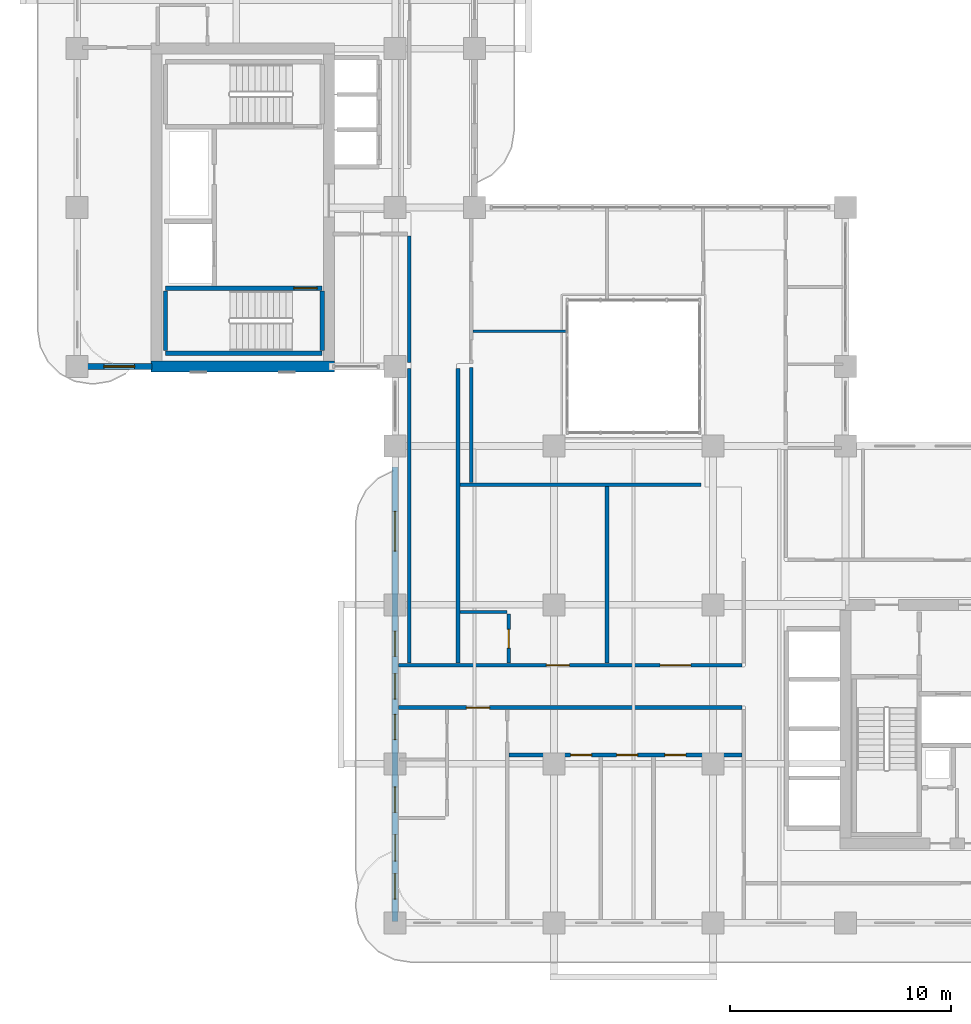
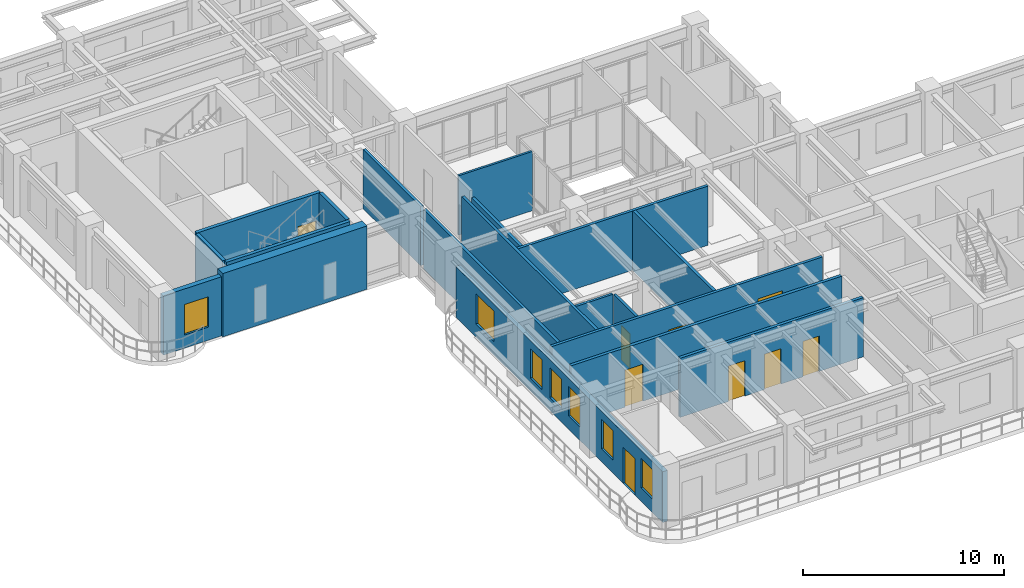
# One storey, part 11 of 20: 19 walls, 9 doors, 7 windows, 16 openings.
"""IFC4 building model written with IfcOpenShell, lengths in metres."""

from ifc_helpers import new_model, si_unit, derived_unit, direction, frame, frame_2d, origin, place, context, subcontext, project, spatial, rectangle, extrude, source, transform, mapped, material, layer, layer_set, type_object, type_shapes, element, fill, save


model = new_model("IFC4")

# Units and contexts
model_context = context("Model", 3, precision=1e-05, world=origin(), true_north=direction((0.0, 1.0)))
body_context = subcontext(model_context, "Body", "Model", "MODEL_VIEW")
ifc_project = project(units=[si_unit("LENGTHUNIT", "METRE"), si_unit("AREAUNIT", "SQUARE_METRE"), si_unit("VOLUMEUNIT", "CUBIC_METRE"), si_unit("PLANEANGLEUNIT", "RADIAN"), si_unit("MASSUNIT", "GRAM", prefix="KILO"), si_unit("THERMODYNAMICTEMPERATUREUNIT", "KELVIN"), si_unit("POWERUNIT", "WATT"), derived_unit("THERMALTRANSMITTANCEUNIT", [(si_unit("POWERUNIT", "WATT"), 1), (si_unit("AREAUNIT", "SQUARE_METRE"), -1), (si_unit("THERMODYNAMICTEMPERATUREUNIT", "KELVIN"), -1)])], contexts=[model_context])

# Site, building, storey
site_placement = place(None, origin())
site = spatial("IfcSite", under=ifc_project, at=site_placement, CompositionType="ELEMENT")
building_placement = place(site_placement, origin())
building = spatial("IfcBuilding", under=site, at=building_placement, Name="Zahravan Archway Hotel and Residences", CompositionType="ELEMENT")
storey_placement = place(building_placement, frame((0.0, 0.0, 173.39990234375)))
storey = spatial("IfcBuildingStorey", under=building, at=storey_placement, Name="L43", CompositionType="ELEMENT", Elevation=173.39990234375)

# Wall
ifc_material_1 = material(Name="Concrete C60/75", Category="concrete")
ifc_layer_1 = layer(ifc_material_1, 0.5, Name="Concrete C60/75", Category="concrete")
ifc_layer_set_1 = layer_set([ifc_layer_1], Name="Concrete C60/75")
wall_type_1 = type_object("IfcWallType", Name="CW-CORE-500", PredefinedType="SHEAR", material=ifc_layer_set_1)
wall_1_placement = place(storey_placement, frame((3.35009765625, 25.199951171875, 0.0), z_axis=(0.0, 0.0, 1.0), x_axis=(1.0, 0.0, 0.0)))
element("IfcWall", 1, at=wall_1_placement, inside=storey, type_object=wall_type_1, Name="L43 Core B Shear S Wall 500 mm", PredefinedType="SHEAR", context=body_context, shape_type="SweptSolid", body=[
    extrude(rectangle(XDim=8.2998046875, YDim=0.5, at=frame_2d((4.14990234375, 0.0))), origin(), (0.0, 0.0, 1.0), 3.85009765625),
])

# Wall, openings, door, windows
ifc_material_2 = material(Name="Honed Red-Ochre Sandstone & Insulated Block", Category="masonry")
ifc_layer_2 = layer(ifc_material_2, 0.280029296875, Name="Honed Red-Ochre Sandstone & Insulated Block", Category="masonry")
ifc_layer_set_2 = layer_set([ifc_layer_2], Name="Honed Red-Ochre Sandstone & Insulated Block")
wall_type_2 = type_object("IfcWallType", Name="EW-LOG-280", PredefinedType="SOLIDWALL", material=ifc_layer_set_2)
wall_2_placement = place(storey_placement, frame((14.39990234375, 0.050048828125, 0.0), z_axis=(0.0, 0.0, 1.0), x_axis=(0.0, 1.0, 0.0)))
wall_2 = element("IfcWall", 2, at=wall_2_placement, inside=storey, type_object=wall_type_2, Name="L43 Exterior Sandstone Wall WA-WL", PredefinedType="SOLIDWALL", context=body_context, shape_type="SweptSolid", body=[
    extrude(rectangle(XDim=20.599853515625, YDim=0.280029296875, at=frame_2d((10.2998046875, 0.0))), origin(), (0.0, 0.0, 1.0), 3.085205078125),
])
opening_1_placement = place(wall_2_placement, frame((2.75, 0.0, 0.0)))
opening_1 = element("IfcOpeningElement", 3, at=opening_1_placement, cuts=wall_2, Name="Opening ED-BL1", PredefinedType="OPENING", context=body_context, shape_type="SweptSolid", body=[
    extrude(rectangle(XDim=1.199951171875, YDim=2.199951171875, at=frame_2d((0.60009765625, 1.10009765625))), frame((0.0, 0.14990234375, 0.0), z_axis=(0.0, -1.0, 0.0), x_axis=(1.0, 0.0, 0.0)), (0.0, 0.0, 1.0), 0.300048828125),
])
opening_2_placement = place(wall_2_placement, frame((1.02490234375, 0.0, 0.800048828125)))
opening_2 = element("IfcOpeningElement", 4, at=opening_2_placement, cuts=wall_2, Name="Opening W-05", PredefinedType="OPENING", context=body_context, shape_type="SweptSolid", body=[
    extrude(rectangle(XDim=1.14990234375, YDim=1.800048828125, at=frame_2d((0.574951171875, 0.89990234375))), frame((0.0, 0.14990234375, 0.0), z_axis=(0.0, -1.0, 0.0), x_axis=(1.0, 0.0, 0.0)), (0.0, 0.0, 1.0), 0.300048828125),
])
opening_3_placement = place(wall_2_placement, frame((4.9541015625, 0.0, 0.800048828125)))
opening_3 = element("IfcOpeningElement", 5, at=opening_3_placement, cuts=wall_2, Name="Opening W-05", PredefinedType="OPENING", context=body_context, shape_type="SweptSolid", body=[
    extrude(rectangle(XDim=1.14990234375, YDim=1.800048828125, at=frame_2d((0.574951171875, 0.89990234375))), frame((0.0, 0.14990234375, 0.0), z_axis=(0.0, -1.0, 0.0), x_axis=(1.0, 0.0, 0.0)), (0.0, 0.0, 1.0), 0.300048828125),
])
opening_4_placement = place(wall_2_placement, frame((8.24609375, 0.0, 0.800048828125)))
opening_4 = element("IfcOpeningElement", 6, at=opening_4_placement, cuts=wall_2, Name="Opening W-05", PredefinedType="OPENING", context=body_context, shape_type="SweptSolid", body=[
    extrude(rectangle(XDim=1.14990234375, YDim=1.800048828125, at=frame_2d((0.574951171875, 0.89990234375))), frame((0.0, 0.14990234375, 0.0), z_axis=(0.0, -1.0, 0.0), x_axis=(1.0, 0.0, 0.0)), (0.0, 0.0, 1.0), 0.300048828125),
])
opening_5_placement = place(wall_2_placement, frame((10.0849609375, 0.0, 0.800048828125)))
opening_5 = element("IfcOpeningElement", 7, at=opening_5_placement, cuts=wall_2, Name="Opening W-05", PredefinedType="OPENING", context=body_context, shape_type="SweptSolid", body=[
    extrude(rectangle(XDim=1.14990234375, YDim=1.800048828125, at=frame_2d((0.574951171875, 0.89990234375))), frame((0.0, 0.14990234375, 0.0), z_axis=(0.0, -1.0, 0.0), x_axis=(1.0, 0.0, 0.0)), (0.0, 0.0, 1.0), 0.300048828125),
])
opening_6_placement = place(wall_2_placement, frame((12.013916015625, 0.0, 0.800048828125)))
opening_6 = element("IfcOpeningElement", 8, at=opening_6_placement, cuts=wall_2, Name="Opening W-05", PredefinedType="OPENING", context=body_context, shape_type="SweptSolid", body=[
    extrude(rectangle(XDim=1.14990234375, YDim=1.800048828125, at=frame_2d((0.574951171875, 0.89990234375))), frame((0.0, 0.14990234375, 0.0), z_axis=(0.0, -1.0, 0.0), x_axis=(1.0, 0.0, 0.0)), (0.0, 0.0, 1.0), 0.300048828125),
])
opening_7_placement = place(wall_2_placement, frame((16.7900390625, 0.0, 0.800048828125)))
opening_7 = element("IfcOpeningElement", 9, at=opening_7_placement, cuts=wall_2, Name="Opening W-02", PredefinedType="OPENING", context=body_context, shape_type="SweptSolid", body=[
    extrude(rectangle(XDim=1.800048828125, YDim=1.85009765625, at=frame_2d((0.89990234375, 0.925048828125))), frame((0.0, 0.14990234375, 0.0), z_axis=(0.0, -1.0, 0.0), x_axis=(1.0, 0.0, 0.0)), (0.0, 0.0, 1.0), 0.300048828125),
])
ifc_material_3 = material(Name="Bronze-Anodized Glazed Aluminium", Category="aluminium")
door_type_1 = type_object("IfcDoorType", Name="ED-BALC-1200", OperationType="SLIDING_TO_LEFT", PredefinedType="DOOR", material=ifc_material_3)
shared_shape_1 = source(origin(), body_context, "Body", "SweptSolid", [
    extrude(rectangle(XDim=1.199951171875, YDim=2.199951171875, at=frame_2d((0.60009765625, 1.10009765625))), frame((0.0, 0.02490234375, 0.0), z_axis=(0.0, -1.0, 0.0), x_axis=(1.0, 0.0, 0.0)), (0.0, 0.0, 1.0), 0.050048828125),
])
type_shapes(door_type_1, [shared_shape_1])
door_1_placement = place(opening_1_placement, origin())
door_1 = element("IfcDoor", 10, at=door_1_placement, inside=storey, type_object=door_type_1, Name="L43 Outdoor Access Sliding Door (SLB-BAL-L43-WA)", OperationType="SLIDING_TO_LEFT", OverallHeight=2.199951171875, OverallWidth=1.199951171875, PredefinedType="DOOR", context=body_context, shape_type="MappedRepresentation", body=[
    mapped(shared_shape_1, transform((0.0, 0.0, 0.0), scale=1.0)),
])
fill(opening_1, door_1)
ifc_material_4 = material(Name="Bronze-Anodized Thermal-Break Aluminium & Low-E Glass", Category="aluminium")
window_type_1 = type_object("IfcWindowType", Name="WIN-TWR-1800", PartitioningType="DOUBLE_PANEL_VERTICAL", PredefinedType="WINDOW", material=ifc_material_4)
shared_shape_2 = source(origin(), body_context, "Body", "SweptSolid", [
    extrude(rectangle(XDim=1.800048828125, YDim=1.85009765625, at=frame_2d((0.89990234375, 0.925048828125))), frame((0.0, 0.030029296875, 0.0), z_axis=(0.0, -1.0, 0.0), x_axis=(1.0, 0.0, 0.0)), (0.0, 0.0, 1.0), 0.06005859375),
])
type_shapes(window_type_1, [shared_shape_2])
window_1_placement = place(opening_7_placement, origin())
window_1 = element("IfcWindow", 11, at=window_1_placement, inside=storey, type_object=window_type_1, Name="L43 Loggia Window 21", OverallHeight=1.85009765625, OverallWidth=1.800048828125, PartitioningType="DOUBLE_PANEL_VERTICAL", PredefinedType="WINDOW", context=body_context, shape_type="MappedRepresentation", body=[
    mapped(shared_shape_2, transform((0.0, 0.0, 0.0), scale=1.0)),
])
fill(opening_7, window_1)
window_type_2 = type_object("IfcWindowType", Name="WIN-TWR-1150", PartitioningType="SINGLE_PANEL", PredefinedType="WINDOW", material=ifc_material_4)
shared_shape_3 = source(origin(), body_context, "Body", "SweptSolid", [
    extrude(rectangle(XDim=1.14990234375, YDim=1.800048828125, at=frame_2d((0.574951171875, 0.89990234375))), frame((0.0, 0.030029296875, 0.0), z_axis=(0.0, -1.0, 0.0), x_axis=(1.0, 0.0, 0.0)), (0.0, 0.0, 1.0), 0.06005859375),
])
type_shapes(window_type_2, [shared_shape_3])
window_2_placement = place(opening_2_placement, origin())
window_2 = element("IfcWindow", 12, at=window_2_placement, inside=storey, type_object=window_type_2, Name="L43 Loggia Window 16", OverallHeight=1.800048828125, OverallWidth=1.14990234375, PartitioningType="SINGLE_PANEL", PredefinedType="WINDOW", context=body_context, shape_type="MappedRepresentation", body=[
    mapped(shared_shape_3, transform((0.0, 0.0, 0.0), scale=1.0)),
])
fill(opening_2, window_2)
window_3_placement = place(opening_3_placement, origin())
window_3 = element("IfcWindow", 13, at=window_3_placement, inside=storey, type_object=window_type_2, Name="L43 Loggia Window 17", OverallHeight=1.800048828125, OverallWidth=1.14990234375, PartitioningType="SINGLE_PANEL", PredefinedType="WINDOW", context=body_context, shape_type="MappedRepresentation", body=[
    mapped(shared_shape_3, transform((0.0, 0.0, 0.0), scale=1.0)),
])
fill(opening_3, window_3)
window_4_placement = place(opening_4_placement, origin())
window_4 = element("IfcWindow", 14, at=window_4_placement, inside=storey, type_object=window_type_2, Name="L43 Loggia Window 18", OverallHeight=1.800048828125, OverallWidth=1.14990234375, PartitioningType="SINGLE_PANEL", PredefinedType="WINDOW", context=body_context, shape_type="MappedRepresentation", body=[
    mapped(shared_shape_3, transform((0.0, 0.0, 0.0), scale=1.0)),
])
fill(opening_4, window_4)
window_5_placement = place(opening_5_placement, origin())
window_5 = element("IfcWindow", 15, at=window_5_placement, inside=storey, type_object=window_type_2, Name="L43 Loggia Window 19", OverallHeight=1.800048828125, OverallWidth=1.14990234375, PartitioningType="SINGLE_PANEL", PredefinedType="WINDOW", context=body_context, shape_type="MappedRepresentation", body=[
    mapped(shared_shape_3, transform((0.0, 0.0, 0.0), scale=1.0)),
])
fill(opening_5, window_5)
window_6_placement = place(opening_6_placement, origin())
window_6 = element("IfcWindow", 16, at=window_6_placement, inside=storey, type_object=window_type_2, Name="L43 Loggia Window 20", OverallHeight=1.800048828125, OverallWidth=1.14990234375, PartitioningType="SINGLE_PANEL", PredefinedType="WINDOW", context=body_context, shape_type="MappedRepresentation", body=[
    mapped(shared_shape_3, transform((0.0, 0.0, 0.0), scale=1.0)),
])
fill(opening_6, window_6)

# Wall, opening, window
wall_3_placement = place(storey_placement, frame((0.0, 25.199951171875, 0.0), z_axis=(0.0, 0.0, 1.0), x_axis=(1.0, 0.0, 0.0)))
wall_3 = element("IfcWall", 17, at=wall_3_placement, inside=storey, type_object=wall_type_2, Name="L43 Exterior Sandstone Wall WB-SW", PredefinedType="SOLIDWALL", context=body_context, shape_type="SweptSolid", body=[
    extrude(rectangle(XDim=3.3798828125, YDim=0.280029296875, at=frame_2d((1.68994140625, 0.0))), origin(), (0.0, 0.0, 1.0), 3.60009765625),
])
opening_8_placement = place(wall_3_placement, frame((1.205078125, 0.0, 0.800048828125)))
opening_8 = element("IfcOpeningElement", 18, at=opening_8_placement, cuts=wall_3, Name="Opening W-03", PredefinedType="OPENING", context=body_context, shape_type="SweptSolid", body=[
    extrude(rectangle(XDim=1.39990234375, YDim=1.85009765625, at=frame_2d((0.699951171875, 0.925048828125))), frame((0.0, 0.14990234375, 0.0), z_axis=(0.0, -1.0, 0.0), x_axis=(1.0, 0.0, 0.0)), (0.0, 0.0, 1.0), 0.300048828125),
])
window_type_3 = type_object("IfcWindowType", Name="WIN-TWR-1400", PartitioningType="SINGLE_PANEL", PredefinedType="WINDOW", material=ifc_material_4)
shared_shape_4 = source(origin(), body_context, "Body", "SweptSolid", [
    extrude(rectangle(XDim=1.39990234375, YDim=1.85009765625, at=frame_2d((0.699951171875, 0.925048828125))), frame((0.0, 0.030029296875, 0.0), z_axis=(0.0, -1.0, 0.0), x_axis=(1.0, 0.0, 0.0)), (0.0, 0.0, 1.0), 0.06005859375),
])
type_shapes(window_type_3, [shared_shape_4])
window_7_placement = place(opening_8_placement, origin())
window_7 = element("IfcWindow", 19, at=window_7_placement, inside=storey, type_object=window_type_3, Name="L43 Loggia Window 22", OverallHeight=1.85009765625, OverallWidth=1.39990234375, PartitioningType="SINGLE_PANEL", PredefinedType="WINDOW", context=body_context, shape_type="MappedRepresentation", body=[
    mapped(shared_shape_4, transform((0.0, 0.0, 0.0), scale=1.0)),
])
fill(opening_8, window_7)

# Wall, openings, doors
ifc_material_5 = material(Name="Fire-Rated Gypsum & Concrete Block", Category="concrete")
ifc_layer_3 = layer(ifc_material_5, 0.159912109375, Name="Fire-Rated Gypsum & Concrete Block", Category="concrete")
ifc_layer_set_3 = layer_set([ifc_layer_3], Name="Fire-Rated Gypsum & Concrete Block")
wall_type_3 = type_object("IfcWallType", Name="PW-CORR-160", PredefinedType="PARTITIONING", material=ifc_layer_set_3)
wall_4_placement = place(storey_placement, frame((14.548095703125, 11.669921875, 0.0), z_axis=(0.0, 0.0, 1.0), x_axis=(1.0, 0.0, 0.0)))
wall_4 = element("IfcWall", 20, at=wall_4_placement, inside=storey, type_object=wall_type_3, Name="L43 Partition WA-CN", PredefinedType="PARTITIONING", context=body_context, shape_type="SweptSolid", body=[
    extrude(rectangle(XDim=15.56201171875, YDim=0.159912109375, at=frame_2d((7.781005859375, 0.0))), origin(), (0.0, 0.0, 1.0), 3.60009765625),
])
opening_9_placement = place(wall_4_placement, frame((6.701904296875, 0.0, 0.0)))
opening_9 = element("IfcOpeningElement", 21, at=opening_9_placement, cuts=wall_4, Name="Opening D-U1", PredefinedType="OPENING", context=body_context, shape_type="SweptSolid", body=[
    extrude(rectangle(XDim=1.050048828125, YDim=2.25, at=frame_2d((0.52490234375, 1.125))), frame((0.0, 0.08984375, 0.0), z_axis=(0.0, -1.0, 0.0), x_axis=(1.0, 0.0, 0.0)), (0.0, 0.0, 1.0), 0.179931640625),
])
opening_10_placement = place(wall_4_placement, frame((11.85205078125, 0.0, 0.0)))
opening_10 = element("IfcOpeningElement", 22, at=opening_10_placement, cuts=wall_4, Name="Opening D-P1", PredefinedType="OPENING", context=body_context, shape_type="SweptSolid", body=[
    extrude(rectangle(XDim=1.39990234375, YDim=2.35009765625, at=frame_2d((0.699951171875, 1.175048828125))), frame((0.0, 0.08984375, 0.0), z_axis=(0.0, -1.0, 0.0), x_axis=(1.0, 0.0, 0.0)), (0.0, 0.0, 1.0), 0.179931640625),
])
door_type_2 = type_object("IfcDoorType", Name="ID-PUBLIC-1400", OperationType="DOUBLE_DOOR_SINGLE_SWING", PredefinedType="DOOR", material=ifc_material_3)
shared_shape_5 = source(origin(), body_context, "Body", "SweptSolid", [
    extrude(rectangle(XDim=1.39990234375, YDim=2.35009765625, at=frame_2d((0.699951171875, 1.175048828125))), frame((0.0, 0.02490234375, 0.0), z_axis=(0.0, -1.0, 0.0), x_axis=(1.0, 0.0, 0.0)), (0.0, 0.0, 1.0), 0.050048828125),
])
type_shapes(door_type_2, [shared_shape_5])
door_2_placement = place(opening_10_placement, origin())
door_2 = element("IfcDoor", 23, at=door_2_placement, inside=storey, type_object=door_type_2, Name="L43 Atrium Dining Door", OperationType="DOUBLE_DOOR_SINGLE_SWING", OverallHeight=2.35009765625, OverallWidth=1.39990234375, PredefinedType="DOOR", context=body_context, shape_type="MappedRepresentation", body=[
    mapped(shared_shape_5, transform((0.0, 0.0, 0.0), scale=1.0)),
])
fill(opening_10, door_2)
ifc_material_6 = material(Name="Hardwood Veneer Timber", Category="wood")
door_type_3 = type_object("IfcDoorType", Name="ID-UNIT-1050", OperationType="NOTDEFINED", PredefinedType="DOOR", material=ifc_material_6)
shared_shape_6 = source(origin(), body_context, "Body", "SweptSolid", [
    extrude(rectangle(XDim=1.050048828125, YDim=2.25, at=frame_2d((0.52490234375, 1.125))), frame((0.0, 0.02490234375, 0.0), z_axis=(0.0, -1.0, 0.0), x_axis=(1.0, 0.0, 0.0)), (0.0, 0.0, 1.0), 0.050048828125),
])
type_shapes(door_type_3, [shared_shape_6])
door_3_placement = place(opening_9_placement, origin())
door_3 = element("IfcDoor", 24, at=door_3_placement, inside=storey, type_object=door_type_3, Name="L43 Hotel Guestroom 52 Entrance Door", OperationType="SINGLE_SWING_LEFT", OverallHeight=2.25, OverallWidth=1.050048828125, PredefinedType="DOOR", context=body_context, shape_type="MappedRepresentation", body=[
    mapped(shared_shape_6, transform((0.0, 0.0, 0.0), scale=1.0)),
])
fill(opening_9, door_3)

# Walls
for number, where, z_axis, x_axis, name in (
    (25, (15.050048828125, 11.760009765625, 0.0), (0.0, 0.0, 1.0), (0.0, 1.0, 0.0), "L43 Partition LNK-W"),
    (26, (17.25, 11.760009765625, 0.0), (0.0, 0.0, 1.0), (0.0, 1.0, 0.0), "L43 Partition LNK-E"),
):
    element("IfcWall", number, at=place(storey_placement, frame(where, z_axis=z_axis, x_axis=x_axis)), inside=storey, type_object=wall_type_3, Name=name, PredefinedType="PARTITIONING", context=body_context, shape_type="SweptSolid", body=[
        extrude(rectangle(XDim=13.35009765625, YDim=0.159912109375, at=frame_2d((6.675048828125, 0.0))), origin(), (0.0, 0.0, 1.0), 3.60009765625),
    ])
wall_5_placement = place(storey_placement, frame((15.050048828125, 25.389892578125, 0.0), z_axis=(0.0, 0.0, 1.0), x_axis=(0.0, 1.0, 0.0)))
element("IfcWall", 27, at=wall_5_placement, inside=storey, type_object=wall_type_3, Name="L43 Partition FB1-E", PredefinedType="PARTITIONING", context=body_context, shape_type="SweptSolid", body=[
    extrude(rectangle(XDim=5.72021484375, YDim=0.159912109375, at=frame_2d((2.860107421875, 0.0))), origin(), (0.0, 0.0, 1.0), 3.60009765625),
])
wall_6_placement = place(storey_placement, frame((17.340087890625, 19.85009765625, 0.0), z_axis=(0.0, 0.0, 1.0), x_axis=(1.0, 0.0, 0.0)))
element("IfcWall", 28, at=wall_6_placement, inside=storey, type_object=wall_type_3, Name="L43 Partition ATR-S", PredefinedType="PARTITIONING", context=body_context, shape_type="SweptSolid", body=[
    extrude(rectangle(XDim=10.919921875, YDim=0.159912109375, at=frame_2d((5.4599609375, 0.0))), origin(), (0.0, 0.0, 1.0), 3.60009765625),
])

# Wall, opening, door
ifc_layer_4 = layer(ifc_material_5, 0.179931640625, Name="Fire-Rated Gypsum & Concrete Block", Category="concrete")
ifc_layer_set_4 = layer_set([ifc_layer_4], Name="Fire-Rated Gypsum & Concrete Block")
wall_type_4 = type_object("IfcWallType", Name="PW-CORR-180", PredefinedType="PARTITIONING", material=ifc_layer_set_4)
wall_7_placement = place(storey_placement, frame((14.548095703125, 9.75, 0.0), z_axis=(0.0, 0.0, 1.0), x_axis=(1.0, 0.0, 0.0)))
wall_7 = element("IfcWall", 29, at=wall_7_placement, inside=storey, type_object=wall_type_4, Name="L43 Partition WA-CS", PredefinedType="PARTITIONING", context=body_context, shape_type="SweptSolid", body=[
    extrude(rectangle(XDim=15.56201171875, YDim=0.179931640625, at=frame_2d((7.781005859375, 0.0))), origin(), (0.0, 0.0, 1.0), 3.60009765625),
])
opening_11_placement = place(wall_7_placement, frame((3.08203125, 0.0, 0.0)))
opening_11 = element("IfcOpeningElement", 30, at=opening_11_placement, cuts=wall_7, Name="Opening D-U1", PredefinedType="OPENING", context=body_context, shape_type="SweptSolid", body=[
    extrude(rectangle(XDim=1.050048828125, YDim=2.25, at=frame_2d((0.52490234375, 1.125))), frame((0.0, 0.10009765625, 0.0), z_axis=(0.0, -1.0, 0.0), x_axis=(1.0, 0.0, 0.0)), (0.0, 0.0, 1.0), 0.199951171875),
])
door_4_placement = place(opening_11_placement, origin())
door_4 = element("IfcDoor", 31, at=door_4_placement, inside=storey, type_object=door_type_3, Name="L43 Flat S1 Entrance Door", OperationType="SINGLE_SWING_LEFT", OverallHeight=2.25, OverallWidth=1.050048828125, PredefinedType="DOOR", context=body_context, shape_type="MappedRepresentation", body=[
    mapped(shared_shape_6, transform((0.0, 0.0, 0.0), scale=1.0)),
])
fill(opening_11, door_4)

# Wall
ifc_material_7 = material(Name="Acoustic Stud Partition")
ifc_layer_5 = layer(ifc_material_7, 0.125, Name="Acoustic Stud Partition")
ifc_layer_set_5 = layer_set([ifc_layer_5], Name="Acoustic Stud Partition")
wall_type_5 = type_object("IfcWallType", Name="PW-INT-125", PredefinedType="PARTITIONING", material=ifc_layer_set_5)
wall_8_placement = place(storey_placement, frame((17.93994140625, 26.800048828125, 0.0), z_axis=(0.0, 0.0, 1.0), x_axis=(1.0, 0.0, 0.0)))
element("IfcWall", 32, at=wall_8_placement, inside=storey, type_object=wall_type_5, Name="L43 Partition ATR-NW3A", PredefinedType="PARTITIONING", context=body_context, shape_type="SweptSolid", body=[
    extrude(rectangle(XDim=4.232177734375, YDim=0.125, at=frame_2d((2.1162109375, 0.0))), origin(), (0.0, 0.0, 1.0), 3.60009765625),
])

# Wall, openings, doors
ifc_layer_6 = layer(ifc_material_7, 0.169921875, Name="Acoustic Stud Partition")
ifc_layer_set_6 = layer_set([ifc_layer_6], Name="Acoustic Stud Partition")
wall_type_6 = type_object("IfcWallType", Name="PW-UNIT-170", PredefinedType="PARTITIONING", material=ifc_layer_set_6)
wall_9_placement = place(storey_placement, frame((19.570068359375, 7.60009765625, 0.0), z_axis=(0.0, 0.0, 1.0), x_axis=(1.0, 0.0, 0.0)))
wall_9 = element("IfcWall", 33, at=wall_9_placement, inside=storey, type_object=wall_type_6, Name="L43 Partition FL-S1-GH", PredefinedType="PARTITIONING", context=body_context, shape_type="SweptSolid", body=[
    extrude(rectangle(XDim=10.5400390625, YDim=0.169921875, at=frame_2d((5.27001953125, 0.0))), origin(), (0.0, 0.0, 1.0), 3.60009765625),
])
opening_12_placement = place(wall_9_placement, frame((2.78369140625, 0.0, 0.0)))
opening_12 = element("IfcOpeningElement", 34, at=opening_12_placement, cuts=wall_9, Name="Opening D-I1", PredefinedType="OPENING", context=body_context, shape_type="SweptSolid", body=[
    extrude(rectangle(XDim=0.949951171875, YDim=2.14990234375, at=frame_2d((0.47509765625, 1.074951171875))), frame((0.0, 0.094970703125, 0.0), z_axis=(0.0, -1.0, 0.0), x_axis=(1.0, 0.0, 0.0)), (0.0, 0.0, 1.0), 0.18994140625),
])
opening_13_placement = place(wall_9_placement, frame((4.864990234375, 0.0, 0.0)))
opening_13 = element("IfcOpeningElement", 35, at=opening_13_placement, cuts=wall_9, Name="Opening D-I1", PredefinedType="OPENING", context=body_context, shape_type="SweptSolid", body=[
    extrude(rectangle(XDim=0.949951171875, YDim=2.14990234375, at=frame_2d((0.47509765625, 1.074951171875))), frame((0.0, 0.094970703125, 0.0), z_axis=(0.0, -1.0, 0.0), x_axis=(1.0, 0.0, 0.0)), (0.0, 0.0, 1.0), 0.18994140625),
])
opening_14_placement = place(wall_9_placement, frame((7.054931640625, 0.0, 0.0)))
opening_14 = element("IfcOpeningElement", 36, at=opening_14_placement, cuts=wall_9, Name="Opening D-I1", PredefinedType="OPENING", context=body_context, shape_type="SweptSolid", body=[
    extrude(rectangle(XDim=0.949951171875, YDim=2.14990234375, at=frame_2d((0.47509765625, 1.074951171875))), frame((0.0, 0.094970703125, 0.0), z_axis=(0.0, -1.0, 0.0), x_axis=(1.0, 0.0, 0.0)), (0.0, 0.0, 1.0), 0.18994140625),
])
door_type_4 = type_object("IfcDoorType", Name="ID-INT-950", OperationType="NOTDEFINED", PredefinedType="DOOR", material=ifc_material_6)
shared_shape_7 = source(origin(), body_context, "Body", "SweptSolid", [
    extrude(rectangle(XDim=0.949951171875, YDim=2.14990234375, at=frame_2d((0.47509765625, 1.074951171875))), frame((0.0, 0.02490234375, 0.0), z_axis=(0.0, -1.0, 0.0), x_axis=(1.0, 0.0, 0.0)), (0.0, 0.0, 1.0), 0.050048828125),
])
type_shapes(door_type_4, [shared_shape_7])
door_5_placement = place(opening_12_placement, origin())
door_5 = element("IfcDoor", 37, at=door_5_placement, inside=storey, type_object=door_type_4, Name="L43 Flat S1 Bedroom 1 Door", OperationType="SINGLE_SWING_RIGHT", OverallHeight=2.14990234375, OverallWidth=0.949951171875, PredefinedType="DOOR", context=body_context, shape_type="MappedRepresentation", body=[
    mapped(shared_shape_7, transform((0.0, 0.0, 0.0), scale=1.0)),
])
fill(opening_12, door_5)
door_6_placement = place(opening_13_placement, origin())
door_6 = element("IfcDoor", 38, at=door_6_placement, inside=storey, type_object=door_type_4, Name="L43 Flat S1 Bedroom 2 Door", OperationType="SINGLE_SWING_RIGHT", OverallHeight=2.14990234375, OverallWidth=0.949951171875, PredefinedType="DOOR", context=body_context, shape_type="MappedRepresentation", body=[
    mapped(shared_shape_7, transform((0.0, 0.0, 0.0), scale=1.0)),
])
fill(opening_13, door_6)
door_7_placement = place(opening_14_placement, origin())
door_7 = element("IfcDoor", 39, at=door_7_placement, inside=storey, type_object=door_type_4, Name="L43 Flat S1 Bedroom 3 Door", OperationType="SINGLE_SWING_LEFT", OverallHeight=2.14990234375, OverallWidth=0.949951171875, PredefinedType="DOOR", context=body_context, shape_type="MappedRepresentation", body=[
    mapped(shared_shape_7, transform((0.0, 0.0, 0.0), scale=1.0)),
])
fill(opening_14, door_7)

# Walls
wall_10_placement = place(storey_placement, frame((17.85009765625, 19.93994140625, 0.0), z_axis=(0.0, 0.0, 1.0), x_axis=(0.0, 1.0, 0.0)))
element("IfcWall", 40, at=wall_10_placement, inside=storey, type_object=wall_type_6, Name="L43 Partition ATR-NWSL", PredefinedType="PARTITIONING", context=body_context, shape_type="SweptSolid", body=[
    extrude(rectangle(XDim=5.219970703125, YDim=0.169921875, at=frame_2d((2.60986328125, 0.0))), origin(), (0.0, 0.0, 1.0), 3.28515625),
])
wall_11_placement = place(storey_placement, frame((24.0, 11.760009765625, 0.0), z_axis=(0.0, 0.0, 1.0), x_axis=(0.0, 1.0, 0.0)))
element("IfcWall", 41, at=wall_11_placement, inside=storey, type_object=wall_type_6, Name="L43 Partition ATN-3", PredefinedType="PARTITIONING", context=body_context, shape_type="SweptSolid", body=[
    extrude(rectangle(XDim=8.0, YDim=0.169921875, at=frame_2d((4.0, 0.0))), origin(), (0.0, 0.0, 1.0), 3.60009765625),
])

# Wall, opening, door
ifc_material_8 = material(Name="Moisture-Resistant Blockwork", Category="masonry")
ifc_layer_7 = layer(ifc_material_8, 0.139892578125, Name="Moisture-Resistant Blockwork", Category="masonry")
ifc_layer_set_7 = layer_set([ifc_layer_7], Name="Moisture-Resistant Blockwork")
wall_type_7 = type_object("IfcWallType", Name="PW-WET-140", PredefinedType="PARTITIONING", material=ifc_layer_set_7)
wall_12_placement = place(storey_placement, frame((19.550048828125, 11.760009765625, 0.0), z_axis=(0.0, 0.0, 1.0), x_axis=(0.0, 1.0, 0.0)))
wall_12 = element("IfcWall", 42, at=wall_12_placement, inside=storey, type_object=wall_type_7, Name="L43 Partition HKB-V52", PredefinedType="PARTITIONING", context=body_context, shape_type="SweptSolid", body=[
    extrude(rectangle(XDim=2.219970703125, YDim=0.139892578125, at=frame_2d((1.10986328125, 0.0))), origin(), (0.0, 0.0, 1.0), 3.60009765625),
])
opening_15_placement = place(wall_12_placement, frame((0.68505859375, 0.0, 0.0)))
opening_15 = element("IfcOpeningElement", 43, at=opening_15_placement, cuts=wall_12, Name="Opening D-B1", PredefinedType="OPENING", context=body_context, shape_type="SweptSolid", body=[
    extrude(rectangle(XDim=0.85009765625, YDim=2.10009765625, at=frame_2d((0.425048828125, 1.050048828125))), frame((0.0, 0.080078125, 0.0), z_axis=(0.0, -1.0, 0.0), x_axis=(1.0, 0.0, 0.0)), (0.0, 0.0, 1.0), 0.159912109375),
])
door_type_5 = type_object("IfcDoorType", Name="ID-BATH-850", OperationType="NOTDEFINED", PredefinedType="DOOR", material=ifc_material_6)
shared_shape_8 = source(origin(), body_context, "Body", "SweptSolid", [
    extrude(rectangle(XDim=0.85009765625, YDim=2.10009765625, at=frame_2d((0.425048828125, 1.050048828125))), frame((0.0, 0.02490234375, 0.0), z_axis=(0.0, -1.0, 0.0), x_axis=(1.0, 0.0, 0.0)), (0.0, 0.0, 1.0), 0.050048828125),
])
type_shapes(door_type_5, [shared_shape_8])
door_8_placement = place(opening_15_placement, origin())
door_8 = element("IfcDoor", 44, at=door_8_placement, inside=storey, type_object=door_type_5, Name="L43 Guestroom 52 En-Suite Door", OperationType="SINGLE_SWING_RIGHT", OverallHeight=2.10009765625, OverallWidth=0.85009765625, PredefinedType="DOOR", context=body_context, shape_type="MappedRepresentation", body=[
    mapped(shared_shape_8, transform((0.0, 0.0, 0.0), scale=1.0)),
])
fill(opening_15, door_8)

# Walls
wall_13_placement = place(storey_placement, frame((17.340087890625, 14.070068359375, 0.0), z_axis=(0.0, 0.0, 1.0), x_axis=(1.0, 0.0, 0.0)))
element("IfcWall", 45, at=wall_13_placement, inside=storey, type_object=wall_type_7, Name="L43 Partition HKB-H52", PredefinedType="PARTITIONING", context=body_context, shape_type="SweptSolid", body=[
    extrude(rectangle(XDim=2.119873046875, YDim=0.139892578125, at=frame_2d((1.06005859375, 0.0))), origin(), (0.0, 0.0, 1.0), 3.60009765625),
])
ifc_material_9 = material(Name="Concrete C50/60", Category="concrete")
ifc_layer_8 = layer(ifc_material_9, 0.199951171875, Name="Concrete C50/60", Category="concrete")
ifc_layer_set_8 = layer_set([ifc_layer_8], Name="Concrete C50/60")
wall_type_8 = type_object("IfcWallType", Name="SW-STAIR-200", PredefinedType="SHEAR", material=ifc_layer_set_8)
wall_14_placement = place(storey_placement, frame((4.0, 25.800048828125, 0.0), z_axis=(0.0, 0.0, 1.0), x_axis=(1.0, 0.0, 0.0)))
element("IfcWall", 46, at=wall_14_placement, inside=storey, type_object=wall_type_8, Name="L43 Stairwell RC Wall CB-SB1S", PredefinedType="SHEAR", context=body_context, shape_type="SweptSolid", body=[
    extrude(rectangle(XDim=7.10009765625, YDim=0.199951171875, at=frame_2d((3.550048828125, 0.0))), origin(), (0.0, 0.0, 1.0), 3.85009765625),
])
for number, where, z_axis, x_axis, name in (
    (47, (4.0, 25.919921875, 0.0), (0.0, 0.0, 1.0), (0.0, 1.0, 0.0), "L43 Stairwell RC Wall CB-SB1W"),
    (48, (11.10009765625, 25.919921875, 0.0), (0.0, 0.0, 1.0), (0.0, 1.0, 0.0), "L43 Stairwell RC Wall CB-SB1E"),
):
    element("IfcWall", number, at=place(storey_placement, frame(where, z_axis=z_axis, x_axis=x_axis)), inside=storey, type_object=wall_type_8, Name=name, PredefinedType="SHEAR", context=body_context, shape_type="SweptSolid", body=[
        extrude(rectangle(XDim=2.7001953125, YDim=0.199951171875, at=frame_2d((1.35009765625, 0.0))), origin(), (0.0, 0.0, 1.0), 3.85009765625),
    ])

# Wall, opening, door
wall_15_placement = place(storey_placement, frame((4.0, 28.739990234375, 0.0), z_axis=(0.0, 0.0, 1.0), x_axis=(1.0, 0.0, 0.0)))
wall_15 = element("IfcWall", 49, at=wall_15_placement, inside=storey, type_object=wall_type_8, Name="L43 Stairwell RC Wall CB-SB1N", PredefinedType="SHEAR", context=body_context, shape_type="SweptSolid", body=[
    extrude(rectangle(XDim=7.10009765625, YDim=0.199951171875, at=frame_2d((3.550048828125, 0.0))), origin(), (0.0, 0.0, 1.0), 3.85009765625),
])
opening_16_placement = place(wall_15_placement, frame((5.81494140625, 0.0, 0.0)))
opening_16 = element("IfcOpeningElement", 50, at=opening_16_placement, cuts=wall_15, Name="Opening FD-S1", PredefinedType="OPENING", context=body_context, shape_type="SweptSolid", body=[
    extrude(rectangle(XDim=1.050048828125, YDim=2.199951171875, at=frame_2d((0.52490234375, 1.10009765625))), frame((0.0, 0.10986328125, 0.0), z_axis=(0.0, -1.0, 0.0), x_axis=(1.0, 0.0, 0.0)), (0.0, 0.0, 1.0), 0.219970703125),
])
ifc_material_10 = material(Name="Fire-Rated Painted Steel", Category="steel")
door_type_6 = type_object("IfcDoorType", Name="FD-STAIR-1100", OperationType="NOTDEFINED", PredefinedType="DOOR", material=ifc_material_10)
shared_shape_9 = source(origin(), body_context, "Body", "SweptSolid", [
    extrude(rectangle(XDim=1.050048828125, YDim=2.199951171875, at=frame_2d((0.52490234375, 1.10009765625))), frame((0.0, 0.02490234375, 0.0), z_axis=(0.0, -1.0, 0.0), x_axis=(1.0, 0.0, 0.0)), (0.0, 0.0, 1.0), 0.050048828125),
])
type_shapes(door_type_6, [shared_shape_9])
door_9_placement = place(opening_16_placement, origin())
door_9 = element("IfcDoor", 51, at=door_9_placement, inside=storey, type_object=door_type_6, Name="L43 Stair ST-B1 Door", OperationType="SINGLE_SWING_RIGHT", OverallHeight=2.199951171875, OverallWidth=1.050048828125, PredefinedType="DOOR", context=body_context, shape_type="MappedRepresentation", body=[
    mapped(shared_shape_9, transform((0.0, 0.0, 0.0), scale=1.0)),
])
fill(opening_16, door_9)

save(model, "model.ifc")
